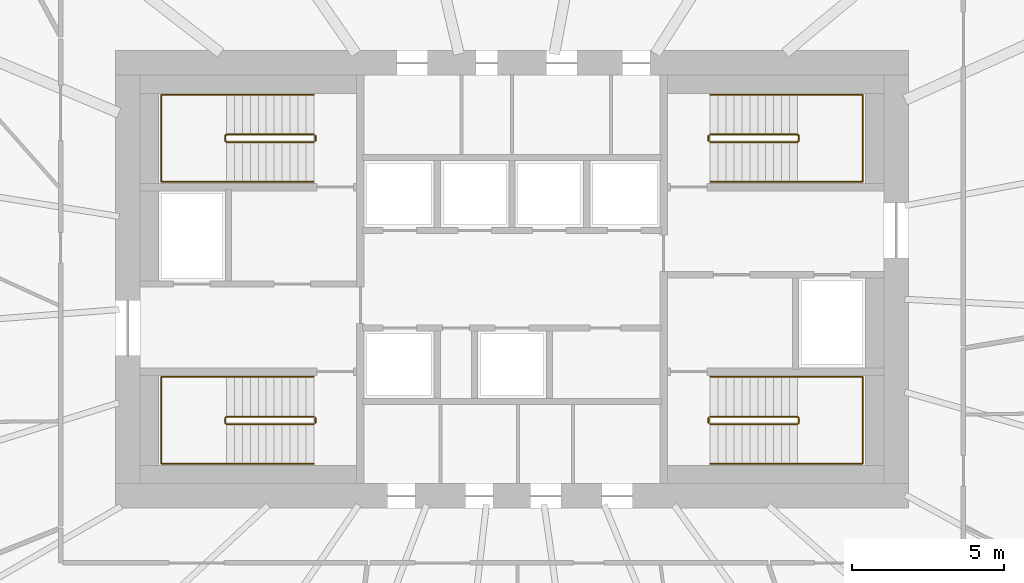
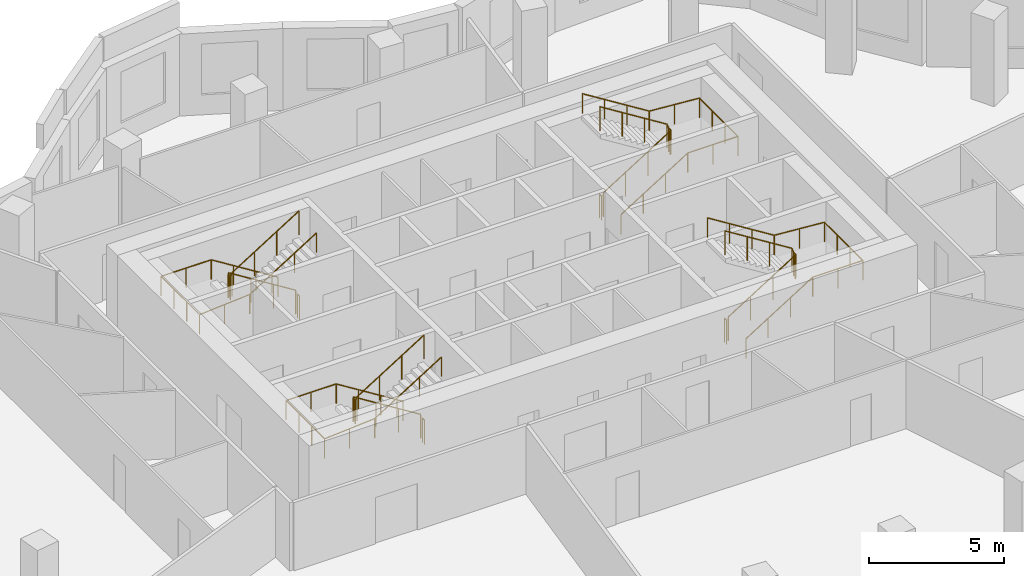
# One storey, part 9 of 9: 12 railings.
"""IFC4 building model written with IfcOpenShell, lengths in metres."""

from ifc_helpers import new_model, si_unit, direction, frame, origin, origin_2d, place, context, subcontext, project, spatial, circle, extrude, material, type_object, element, save


model = new_model("IFC4")

# Units and contexts
model_context = context("Model", 3, precision=1e-05, world=origin(), true_north=direction((0.0, 1.0)))
body_context = subcontext(model_context, "Body", "Model", "MODEL_VIEW")
ifc_project = project(units=[si_unit("LENGTHUNIT", "METRE"), si_unit("AREAUNIT", "SQUARE_METRE"), si_unit("VOLUMEUNIT", "CUBIC_METRE"), si_unit("PLANEANGLEUNIT", "RADIAN"), si_unit("MASSUNIT", "GRAM", prefix="KILO")], contexts=[model_context])

# Site, building, storey
site_placement = place(None, origin())
site = spatial("IfcSite", under=ifc_project, at=site_placement, CompositionType="ELEMENT")
building_placement = place(site_placement, origin())
building = spatial("IfcBuilding", under=site, at=building_placement, Name="Rubra Terraces Tower", CompositionType="ELEMENT")
storey_placement = place(building_placement, frame((0.0, 0.0, 244.800048828125)))
storey = spatial("IfcBuildingStorey", under=building, at=storey_placement, Name="L60", CompositionType="ELEMENT", Elevation=244.800048828125)

# Railings
ifc_material = material(Name="Stainless steel", Category="steel")
railing_type_1 = type_object("IfcRailingType", Name="Core stair guard 1100", PredefinedType="GUARDRAIL", material=ifc_material)
railing_1_placement = place(storey_placement, frame((-6.5, 0.0, 0.162353515625)))
element("IfcRailing", 1, at=railing_1_placement, inside=storey, type_object=railing_type_1, Name="L60 stair S1 guard 1", PredefinedType="GUARDRAIL", context=body_context, shape_type="SweptSolid", body=[
    extrude(circle(Radius=0.02392578125, at=origin_2d()), frame((0.0, 0.0, 1.076171875), z_axis=(-0.847994237388, 0.0, 0.530005446535), x_axis=(0.0, -1.0, 0.0)), (0.0, 0.0, 1.0), 3.372802734375),
    extrude(circle(Radius=0.02392578125, at=origin_2d()), frame((-2.860107421875, 0.0, 2.86376953125), z_axis=(-0.705375805398, -0.708833529934, 0.0), x_axis=(0.708833529934, -0.705375805398, 0.0)), (0.0, 0.0, 1.0), 0.070556640625),
    extrude(circle(Radius=0.02392578125, at=origin_2d()), frame((-2.909912109375, -0.050048828125, 2.86376953125), z_axis=(0.0, -1.0, 0.0), x_axis=(1.0, 0.0, 0.0)), (0.0, 0.0, 1.0), 0.14990234375),
    extrude(circle(Radius=0.02392578125, at=origin_2d()), frame((-2.909912109375, -0.199951171875, 2.86376953125), z_axis=(0.280959487676, -0.282336740067, 0.917250092119), x_axis=(0.708833529934, 0.705375805398, 0.0)), (0.0, 0.0, 1.0), 0.17724609375),
    extrude(circle(Radius=0.02392578125, at=origin_2d()), frame((-2.860107421875, -0.25, 3.0263671875), z_axis=(0.848026770018, 0.0, 0.529953391661), x_axis=(0.0, 1.0, 0.0)), (0.0, 0.0, 1.0), 3.37255859375),
    extrude(circle(Radius=0.02099609375, at=origin_2d()), origin(), (0.0, 0.0, 1.0), 1.052001953125),
    extrude(circle(Radius=0.02099609375, at=origin_2d()), frame((-0.953369140625, 0.0, 0.595947265625)), (0.0, 0.0, 1.0), 1.052001953125),
    extrude(circle(Radius=0.02099609375, at=origin_2d()), frame((-1.90673828125, 0.0, 1.191650390625)), (0.0, 0.0, 1.0), 1.052001953125),
    extrude(circle(Radius=0.02099609375, at=origin_2d()), frame((-2.860107421875, 0.0, 1.78759765625)), (0.0, 0.0, 1.0), 1.052001953125),
    extrude(circle(Radius=0.02099609375, at=origin_2d()), frame((-2.909912109375, -0.050048828125, 1.78759765625)), (0.0, 0.0, 1.0), 1.052001953125),
    extrude(circle(Radius=0.02099609375, at=origin_2d()), frame((-2.909912109375, -0.199951171875, 1.78759765625)), (0.0, 0.0, 1.0), 1.052001953125),
    extrude(circle(Radius=0.02099609375, at=origin_2d()), frame((-2.860107421875, -0.25, 1.9501953125)), (0.0, 0.0, 1.0), 1.052001953125),
    extrude(circle(Radius=0.02099609375, at=origin_2d()), frame((-1.90673828125, -0.25, 2.5458984375)), (0.0, 0.0, 1.0), 1.052001953125),
    extrude(circle(Radius=0.02099609375, at=origin_2d()), frame((-0.953369140625, -0.25, 3.141845703125)), (0.0, 0.0, 1.0), 1.052001953125),
    extrude(circle(Radius=0.02099609375, at=origin_2d()), frame((0.0, -0.25, 3.737548828125)), (0.0, 0.0, 1.0), 1.052001953125),
])
railing_2_placement = place(storey_placement, frame((-6.449951171875, -0.050048828125, 0.0)))
element("IfcRailing", 2, at=railing_2_placement, inside=storey, type_object=railing_type_1, Name="L60 stair S1 guard 2", PredefinedType="GUARDRAIL", context=body_context, shape_type="SweptSolid", body=[
    extrude(circle(Radius=0.02392578125, at=origin_2d()), frame((0.0, 0.0, 1.076171875), z_axis=(0.0, -1.0, 0.0), x_axis=(1.0, 0.0, 0.0)), (0.0, 0.0, 1.0), 0.14990234375),
    extrude(circle(Radius=0.02099609375, at=origin_2d()), origin(), (0.0, 0.0, 1.0), 1.052001953125),
    extrude(circle(Radius=0.02099609375, at=origin_2d()), frame((0.0, -0.14990234375, 0.0)), (0.0, 0.0, 1.0), 1.052001953125),
])
railing_3_placement = place(storey_placement, frame((-6.5, 9.25, 0.162353515625)))
element("IfcRailing", 3, at=railing_3_placement, inside=storey, type_object=railing_type_1, Name="L60 stair S2 guard 1", PredefinedType="GUARDRAIL", context=body_context, shape_type="SweptSolid", body=[
    extrude(circle(Radius=0.02392578125, at=origin_2d()), frame((0.0, 0.0, 1.076171875), z_axis=(-0.847994237388, 0.0, 0.530005446535), x_axis=(0.0, -1.0, 0.0)), (0.0, 0.0, 1.0), 3.372802734375),
    extrude(circle(Radius=0.02392578125, at=origin_2d()), frame((-2.860107421875, 0.0, 2.86376953125), z_axis=(-0.705375805398, -0.708833529934, 0.0), x_axis=(0.708833529934, -0.705375805398, 0.0)), (0.0, 0.0, 1.0), 0.070556640625),
    extrude(circle(Radius=0.02392578125, at=origin_2d()), frame((-2.909912109375, -0.050048828125, 2.86376953125), z_axis=(0.0, -1.0, 0.0), x_axis=(1.0, 0.0, 0.0)), (0.0, 0.0, 1.0), 0.14990234375),
    extrude(circle(Radius=0.02392578125, at=origin_2d()), frame((-2.909912109375, -0.199951171875, 2.86376953125), z_axis=(0.280959487676, -0.282336740067, 0.917250092119), x_axis=(0.708833529934, 0.705375805398, 0.0)), (0.0, 0.0, 1.0), 0.17724609375),
    extrude(circle(Radius=0.02392578125, at=origin_2d()), frame((-2.860107421875, -0.25, 3.0263671875), z_axis=(0.848026770018, 0.0, 0.529953391661), x_axis=(0.0, 1.0, 0.0)), (0.0, 0.0, 1.0), 3.37255859375),
    extrude(circle(Radius=0.02099609375, at=origin_2d()), origin(), (0.0, 0.0, 1.0), 1.052001953125),
    extrude(circle(Radius=0.02099609375, at=origin_2d()), frame((-0.953369140625, 0.0, 0.595947265625)), (0.0, 0.0, 1.0), 1.052001953125),
    extrude(circle(Radius=0.02099609375, at=origin_2d()), frame((-1.90673828125, 0.0, 1.191650390625)), (0.0, 0.0, 1.0), 1.052001953125),
    extrude(circle(Radius=0.02099609375, at=origin_2d()), frame((-2.860107421875, 0.0, 1.78759765625)), (0.0, 0.0, 1.0), 1.052001953125),
    extrude(circle(Radius=0.02099609375, at=origin_2d()), frame((-2.909912109375, -0.050048828125, 1.78759765625)), (0.0, 0.0, 1.0), 1.052001953125),
    extrude(circle(Radius=0.02099609375, at=origin_2d()), frame((-2.909912109375, -0.199951171875, 1.78759765625)), (0.0, 0.0, 1.0), 1.052001953125),
    extrude(circle(Radius=0.02099609375, at=origin_2d()), frame((-2.860107421875, -0.25, 1.9501953125)), (0.0, 0.0, 1.0), 1.052001953125),
    extrude(circle(Radius=0.02099609375, at=origin_2d()), frame((-1.90673828125, -0.25, 2.5458984375)), (0.0, 0.0, 1.0), 1.052001953125),
    extrude(circle(Radius=0.02099609375, at=origin_2d()), frame((-0.953369140625, -0.25, 3.141845703125)), (0.0, 0.0, 1.0), 1.052001953125),
    extrude(circle(Radius=0.02099609375, at=origin_2d()), frame((0.0, -0.25, 3.737548828125)), (0.0, 0.0, 1.0), 1.052001953125),
])
railing_4_placement = place(storey_placement, frame((-6.449951171875, 9.199951171875, 0.0)))
element("IfcRailing", 4, at=railing_4_placement, inside=storey, type_object=railing_type_1, Name="L60 stair S2 guard 2", PredefinedType="GUARDRAIL", context=body_context, shape_type="SweptSolid", body=[
    extrude(circle(Radius=0.02392578125, at=origin_2d()), frame((0.0, 0.0, 1.076171875), z_axis=(0.0, -1.0, 0.0), x_axis=(1.0, 0.0, 0.0)), (0.0, 0.0, 1.0), 0.14990234375),
    extrude(circle(Radius=0.02099609375, at=origin_2d()), origin(), (0.0, 0.0, 1.0), 1.052001953125),
    extrude(circle(Radius=0.02099609375, at=origin_2d()), frame((0.0, -0.14990234375, 0.0)), (0.0, 0.0, 1.0), 1.052001953125),
])
railing_5_placement = place(storey_placement, frame((6.5, 9.0, 0.162353515625)))
element("IfcRailing", 5, at=railing_5_placement, inside=storey, type_object=railing_type_1, Name="L60 stair S3 guard 1", PredefinedType="GUARDRAIL", context=body_context, shape_type="SweptSolid", body=[
    extrude(circle(Radius=0.02392578125, at=origin_2d()), frame((0.0, 0.0, 1.076171875), z_axis=(0.847994237388, 0.0, 0.530005446535), x_axis=(0.0, 1.0, 0.0)), (0.0, 0.0, 1.0), 3.372802734375),
    extrude(circle(Radius=0.02392578125, at=origin_2d()), frame((2.860107421875, 0.0, 2.86376953125), z_axis=(0.705375805398, 0.708833529934, 0.0), x_axis=(-0.708833529934, 0.705375805398, 0.0)), (0.0, 0.0, 1.0), 0.070556640625),
    extrude(circle(Radius=0.02392578125, at=origin_2d()), frame((2.909912109375, 0.050048828125, 2.86376953125), z_axis=(0.0, 1.0, 0.0), x_axis=(-1.0, 0.0, 0.0)), (0.0, 0.0, 1.0), 0.14990234375),
    extrude(circle(Radius=0.02392578125, at=origin_2d()), frame((2.909912109375, 0.199951171875, 2.86376953125), z_axis=(-0.280959487676, 0.282336740067, 0.917250092119), x_axis=(-0.708833529934, -0.705375805398, 0.0)), (0.0, 0.0, 1.0), 0.17724609375),
    extrude(circle(Radius=0.02392578125, at=origin_2d()), frame((2.860107421875, 0.25, 3.0263671875), z_axis=(-0.848026770018, 0.0, 0.529953391661), x_axis=(0.0, -1.0, 0.0)), (0.0, 0.0, 1.0), 3.37255859375),
    extrude(circle(Radius=0.02099609375, at=origin_2d()), origin(), (0.0, 0.0, 1.0), 1.052001953125),
    extrude(circle(Radius=0.02099609375, at=origin_2d()), frame((0.953369140625, 0.0, 0.595947265625)), (0.0, 0.0, 1.0), 1.052001953125),
    extrude(circle(Radius=0.02099609375, at=origin_2d()), frame((1.90673828125, 0.0, 1.191650390625)), (0.0, 0.0, 1.0), 1.052001953125),
    extrude(circle(Radius=0.02099609375, at=origin_2d()), frame((2.860107421875, 0.0, 1.78759765625)), (0.0, 0.0, 1.0), 1.052001953125),
    extrude(circle(Radius=0.02099609375, at=origin_2d()), frame((2.909912109375, 0.050048828125, 1.78759765625)), (0.0, 0.0, 1.0), 1.052001953125),
    extrude(circle(Radius=0.02099609375, at=origin_2d()), frame((2.909912109375, 0.199951171875, 1.78759765625)), (0.0, 0.0, 1.0), 1.052001953125),
    extrude(circle(Radius=0.02099609375, at=origin_2d()), frame((2.860107421875, 0.25, 1.9501953125)), (0.0, 0.0, 1.0), 1.052001953125),
    extrude(circle(Radius=0.02099609375, at=origin_2d()), frame((1.90673828125, 0.25, 2.5458984375)), (0.0, 0.0, 1.0), 1.052001953125),
    extrude(circle(Radius=0.02099609375, at=origin_2d()), frame((0.953369140625, 0.25, 3.141845703125)), (0.0, 0.0, 1.0), 1.052001953125),
    extrude(circle(Radius=0.02099609375, at=origin_2d()), frame((0.0, 0.25, 3.737548828125)), (0.0, 0.0, 1.0), 1.052001953125),
])
railing_6_placement = place(storey_placement, frame((6.449951171875, 9.050048828125, 0.0)))
element("IfcRailing", 6, at=railing_6_placement, inside=storey, type_object=railing_type_1, Name="L60 stair S3 guard 2", PredefinedType="GUARDRAIL", context=body_context, shape_type="SweptSolid", body=[
    extrude(circle(Radius=0.02392578125, at=origin_2d()), frame((0.0, 0.0, 1.076171875), z_axis=(0.0, 1.0, 0.0), x_axis=(-1.0, 0.0, 0.0)), (0.0, 0.0, 1.0), 0.14990234375),
    extrude(circle(Radius=0.02099609375, at=origin_2d()), origin(), (0.0, 0.0, 1.0), 1.052001953125),
    extrude(circle(Radius=0.02099609375, at=origin_2d()), frame((0.0, 0.14990234375, 0.0)), (0.0, 0.0, 1.0), 1.052001953125),
])
railing_7_placement = place(storey_placement, frame((6.5, -0.25, 0.162353515625)))
element("IfcRailing", 7, at=railing_7_placement, inside=storey, type_object=railing_type_1, Name="L60 stair S4 guard 1", PredefinedType="GUARDRAIL", context=body_context, shape_type="SweptSolid", body=[
    extrude(circle(Radius=0.02392578125, at=origin_2d()), frame((0.0, 0.0, 1.076171875), z_axis=(0.847994237388, 0.0, 0.530005446535), x_axis=(0.0, 1.0, 0.0)), (0.0, 0.0, 1.0), 3.372802734375),
    extrude(circle(Radius=0.02392578125, at=origin_2d()), frame((2.860107421875, 0.0, 2.86376953125), z_axis=(0.705375805398, 0.708833529934, 0.0), x_axis=(-0.708833529934, 0.705375805398, 0.0)), (0.0, 0.0, 1.0), 0.070556640625),
    extrude(circle(Radius=0.02392578125, at=origin_2d()), frame((2.909912109375, 0.050048828125, 2.86376953125), z_axis=(0.0, 1.0, 0.0), x_axis=(-1.0, 0.0, 0.0)), (0.0, 0.0, 1.0), 0.14990234375),
    extrude(circle(Radius=0.02392578125, at=origin_2d()), frame((2.909912109375, 0.199951171875, 2.86376953125), z_axis=(-0.280959487676, 0.282336740067, 0.917250092119), x_axis=(-0.708833529934, -0.705375805398, 0.0)), (0.0, 0.0, 1.0), 0.17724609375),
    extrude(circle(Radius=0.02392578125, at=origin_2d()), frame((2.860107421875, 0.25, 3.0263671875), z_axis=(-0.848026770018, 0.0, 0.529953391661), x_axis=(0.0, -1.0, 0.0)), (0.0, 0.0, 1.0), 3.37255859375),
    extrude(circle(Radius=0.02099609375, at=origin_2d()), origin(), (0.0, 0.0, 1.0), 1.052001953125),
    extrude(circle(Radius=0.02099609375, at=origin_2d()), frame((0.953369140625, 0.0, 0.595947265625)), (0.0, 0.0, 1.0), 1.052001953125),
    extrude(circle(Radius=0.02099609375, at=origin_2d()), frame((1.90673828125, 0.0, 1.191650390625)), (0.0, 0.0, 1.0), 1.052001953125),
    extrude(circle(Radius=0.02099609375, at=origin_2d()), frame((2.860107421875, 0.0, 1.78759765625)), (0.0, 0.0, 1.0), 1.052001953125),
    extrude(circle(Radius=0.02099609375, at=origin_2d()), frame((2.909912109375, 0.050048828125, 1.78759765625)), (0.0, 0.0, 1.0), 1.052001953125),
    extrude(circle(Radius=0.02099609375, at=origin_2d()), frame((2.909912109375, 0.199951171875, 1.78759765625)), (0.0, 0.0, 1.0), 1.052001953125),
    extrude(circle(Radius=0.02099609375, at=origin_2d()), frame((2.860107421875, 0.25, 1.9501953125)), (0.0, 0.0, 1.0), 1.052001953125),
    extrude(circle(Radius=0.02099609375, at=origin_2d()), frame((1.90673828125, 0.25, 2.5458984375)), (0.0, 0.0, 1.0), 1.052001953125),
    extrude(circle(Radius=0.02099609375, at=origin_2d()), frame((0.953369140625, 0.25, 3.141845703125)), (0.0, 0.0, 1.0), 1.052001953125),
    extrude(circle(Radius=0.02099609375, at=origin_2d()), frame((0.0, 0.25, 3.737548828125)), (0.0, 0.0, 1.0), 1.052001953125),
])
railing_8_placement = place(storey_placement, frame((6.449951171875, -0.199951171875, 0.0)))
element("IfcRailing", 8, at=railing_8_placement, inside=storey, type_object=railing_type_1, Name="L60 stair S4 guard 2", PredefinedType="GUARDRAIL", context=body_context, shape_type="SweptSolid", body=[
    extrude(circle(Radius=0.02392578125, at=origin_2d()), frame((0.0, 0.0, 1.076171875), z_axis=(0.0, 1.0, 0.0), x_axis=(-1.0, 0.0, 0.0)), (0.0, 0.0, 1.0), 0.14990234375),
    extrude(circle(Radius=0.02099609375, at=origin_2d()), origin(), (0.0, 0.0, 1.0), 1.052001953125),
    extrude(circle(Radius=0.02099609375, at=origin_2d()), frame((0.0, 0.14990234375, 0.0)), (0.0, 0.0, 1.0), 1.052001953125),
])
railing_type_2 = type_object("IfcRailingType", Name="Core stair handrail 900", PredefinedType="HANDRAIL", material=ifc_material)
railing_9_placement = place(storey_placement, frame((-6.5, 1.300048828125, 0.162353515625)))
element("IfcRailing", 9, at=railing_9_placement, inside=storey, type_object=railing_type_2, Name="L60 stair S1 handrail 1", PredefinedType="HANDRAIL", context=body_context, shape_type="SweptSolid", body=[
    extrude(circle(Radius=0.02392578125, at=origin_2d()), frame((0.0, 0.0, 0.8759765625), z_axis=(-0.847994237388, 0.0, 0.530005446535), x_axis=(0.0, -1.0, 0.0)), (0.0, 0.0, 1.0), 3.372802734375),
    extrude(circle(Radius=0.02392578125, at=origin_2d()), frame((-2.860107421875, 0.0, 2.66357421875), z_axis=(-1.0, 0.0, 0.0), x_axis=(0.0, -1.0, 0.0)), (0.0, 0.0, 1.0), 2.139892578125),
    extrude(circle(Radius=0.02392578125, at=origin_2d()), frame((-5.0, 0.0, 2.66357421875), z_axis=(0.0, -1.0, 0.0), x_axis=(1.0, 0.0, 0.0)), (0.0, 0.0, 1.0), 2.85009765625),
    extrude(circle(Radius=0.02392578125, at=origin_2d()), frame((-5.0, -2.85009765625, 2.66357421875), z_axis=(0.997125654253, 0.0, 0.075765623016), x_axis=(0.0, 1.0, 0.0)), (0.0, 0.0, 1.0), 2.14599609375),
    extrude(circle(Radius=0.02392578125, at=origin_2d()), frame((-2.860107421875, -2.85009765625, 2.826171875), z_axis=(0.848026770018, 0.0, 0.529953391661), x_axis=(0.0, 1.0, 0.0)), (0.0, 0.0, 1.0), 3.37255859375),
    extrude(circle(Radius=0.02099609375, at=origin_2d()), origin(), (0.0, 0.0, 1.0), 0.851806640625),
    extrude(circle(Radius=0.02099609375, at=origin_2d()), frame((-0.953369140625, 0.0, 0.595947265625)), (0.0, 0.0, 1.0), 0.851806640625),
    extrude(circle(Radius=0.02099609375, at=origin_2d()), frame((-1.90673828125, 0.0, 1.191650390625)), (0.0, 0.0, 1.0), 0.851806640625),
    extrude(circle(Radius=0.02099609375, at=origin_2d()), frame((-2.860107421875, 0.0, 1.78759765625)), (0.0, 0.0, 1.0), 0.851806640625),
    extrude(circle(Radius=0.02099609375, at=origin_2d()), frame((-3.93017578125, 0.0, 1.78759765625)), (0.0, 0.0, 1.0), 0.851806640625),
    extrude(circle(Radius=0.02099609375, at=origin_2d()), frame((-5.0, 0.0, 1.78759765625)), (0.0, 0.0, 1.0), 0.851806640625),
    extrude(circle(Radius=0.02099609375, at=origin_2d()), frame((-5.0, -0.949951171875, 1.78759765625)), (0.0, 0.0, 1.0), 0.851806640625),
    extrude(circle(Radius=0.02099609375, at=origin_2d()), frame((-5.0, -1.900146484375, 1.78759765625)), (0.0, 0.0, 1.0), 0.851806640625),
    extrude(circle(Radius=0.02099609375, at=origin_2d()), frame((-5.0, -2.85009765625, 1.78759765625)), (0.0, 0.0, 1.0), 0.851806640625),
    extrude(circle(Radius=0.02099609375, at=origin_2d()), frame((-3.93017578125, -2.85009765625, 1.868896484375)), (0.0, 0.0, 1.0), 0.851806640625),
    extrude(circle(Radius=0.02099609375, at=origin_2d()), frame((-2.860107421875, -2.85009765625, 1.9501953125)), (0.0, 0.0, 1.0), 0.851806640625),
    extrude(circle(Radius=0.02099609375, at=origin_2d()), frame((-1.90673828125, -2.85009765625, 2.5458984375)), (0.0, 0.0, 1.0), 0.851806640625),
    extrude(circle(Radius=0.02099609375, at=origin_2d()), frame((-0.953369140625, -2.85009765625, 3.141845703125)), (0.0, 0.0, 1.0), 0.851806640625),
    extrude(circle(Radius=0.02099609375, at=origin_2d()), frame((0.0, -2.85009765625, 3.737548828125)), (0.0, 0.0, 1.0), 0.851806640625),
])
railing_10_placement = place(storey_placement, frame((-6.5, 10.550048828125, 0.162353515625)))
element("IfcRailing", 10, at=railing_10_placement, inside=storey, type_object=railing_type_2, Name="L60 stair S2 handrail 1", PredefinedType="HANDRAIL", context=body_context, shape_type="SweptSolid", body=[
    extrude(circle(Radius=0.02392578125, at=origin_2d()), frame((0.0, 0.0, 0.8759765625), z_axis=(-0.847994237388, 0.0, 0.530005446535), x_axis=(0.0, -1.0, 0.0)), (0.0, 0.0, 1.0), 3.372802734375),
    extrude(circle(Radius=0.02392578125, at=origin_2d()), frame((-2.860107421875, 0.0, 2.66357421875), z_axis=(-1.0, 0.0, 0.0), x_axis=(0.0, -1.0, 0.0)), (0.0, 0.0, 1.0), 2.139892578125),
    extrude(circle(Radius=0.02392578125, at=origin_2d()), frame((-5.0, 0.0, 2.66357421875), z_axis=(0.0, -1.0, 0.0), x_axis=(1.0, 0.0, 0.0)), (0.0, 0.0, 1.0), 2.85009765625),
    extrude(circle(Radius=0.02392578125, at=origin_2d()), frame((-5.0, -2.85009765625, 2.66357421875), z_axis=(0.997125654253, 0.0, 0.075765623016), x_axis=(0.0, 1.0, 0.0)), (0.0, 0.0, 1.0), 2.14599609375),
    extrude(circle(Radius=0.02392578125, at=origin_2d()), frame((-2.860107421875, -2.85009765625, 2.826171875), z_axis=(0.848026770018, 0.0, 0.529953391661), x_axis=(0.0, 1.0, 0.0)), (0.0, 0.0, 1.0), 3.37255859375),
    extrude(circle(Radius=0.02099609375, at=origin_2d()), origin(), (0.0, 0.0, 1.0), 0.851806640625),
    extrude(circle(Radius=0.02099609375, at=origin_2d()), frame((-0.953369140625, 0.0, 0.595947265625)), (0.0, 0.0, 1.0), 0.851806640625),
    extrude(circle(Radius=0.02099609375, at=origin_2d()), frame((-1.90673828125, 0.0, 1.191650390625)), (0.0, 0.0, 1.0), 0.851806640625),
    extrude(circle(Radius=0.02099609375, at=origin_2d()), frame((-2.860107421875, 0.0, 1.78759765625)), (0.0, 0.0, 1.0), 0.851806640625),
    extrude(circle(Radius=0.02099609375, at=origin_2d()), frame((-3.93017578125, 0.0, 1.78759765625)), (0.0, 0.0, 1.0), 0.851806640625),
    extrude(circle(Radius=0.02099609375, at=origin_2d()), frame((-5.0, 0.0, 1.78759765625)), (0.0, 0.0, 1.0), 0.851806640625),
    extrude(circle(Radius=0.02099609375, at=origin_2d()), frame((-5.0, -0.949951171875, 1.78759765625)), (0.0, 0.0, 1.0), 0.851806640625),
    extrude(circle(Radius=0.02099609375, at=origin_2d()), frame((-5.0, -1.900146484375, 1.78759765625)), (0.0, 0.0, 1.0), 0.851806640625),
    extrude(circle(Radius=0.02099609375, at=origin_2d()), frame((-5.0, -2.85009765625, 1.78759765625)), (0.0, 0.0, 1.0), 0.851806640625),
    extrude(circle(Radius=0.02099609375, at=origin_2d()), frame((-3.93017578125, -2.85009765625, 1.868896484375)), (0.0, 0.0, 1.0), 0.851806640625),
    extrude(circle(Radius=0.02099609375, at=origin_2d()), frame((-2.860107421875, -2.85009765625, 1.9501953125)), (0.0, 0.0, 1.0), 0.851806640625),
    extrude(circle(Radius=0.02099609375, at=origin_2d()), frame((-1.90673828125, -2.85009765625, 2.5458984375)), (0.0, 0.0, 1.0), 0.851806640625),
    extrude(circle(Radius=0.02099609375, at=origin_2d()), frame((-0.953369140625, -2.85009765625, 3.141845703125)), (0.0, 0.0, 1.0), 0.851806640625),
    extrude(circle(Radius=0.02099609375, at=origin_2d()), frame((0.0, -2.85009765625, 3.737548828125)), (0.0, 0.0, 1.0), 0.851806640625),
])
railing_11_placement = place(storey_placement, frame((6.5, 7.699951171875, 0.162353515625)))
element("IfcRailing", 11, at=railing_11_placement, inside=storey, type_object=railing_type_2, Name="L60 stair S3 handrail 1", PredefinedType="HANDRAIL", context=body_context, shape_type="SweptSolid", body=[
    extrude(circle(Radius=0.02392578125, at=origin_2d()), frame((0.0, 0.0, 0.8759765625), z_axis=(0.847994237388, 0.0, 0.530005446535), x_axis=(0.0, 1.0, 0.0)), (0.0, 0.0, 1.0), 3.372802734375),
    extrude(circle(Radius=0.02392578125, at=origin_2d()), frame((2.860107421875, 0.0, 2.66357421875), z_axis=(1.0, 0.0, 0.0), x_axis=(0.0, 1.0, 0.0)), (0.0, 0.0, 1.0), 2.139892578125),
    extrude(circle(Radius=0.02392578125, at=origin_2d()), frame((5.0, 0.0, 2.66357421875), z_axis=(0.0, 1.0, 0.0), x_axis=(-1.0, 0.0, 0.0)), (0.0, 0.0, 1.0), 2.85009765625),
    extrude(circle(Radius=0.02392578125, at=origin_2d()), frame((5.0, 2.85009765625, 2.66357421875), z_axis=(-0.997125654253, 0.0, 0.075765623016), x_axis=(0.0, -1.0, 0.0)), (0.0, 0.0, 1.0), 2.14599609375),
    extrude(circle(Radius=0.02392578125, at=origin_2d()), frame((2.860107421875, 2.85009765625, 2.826171875), z_axis=(-0.848026770018, 0.0, 0.529953391661), x_axis=(0.0, -1.0, 0.0)), (0.0, 0.0, 1.0), 3.37255859375),
    extrude(circle(Radius=0.02099609375, at=origin_2d()), origin(), (0.0, 0.0, 1.0), 0.851806640625),
    extrude(circle(Radius=0.02099609375, at=origin_2d()), frame((0.953369140625, 0.0, 0.595947265625)), (0.0, 0.0, 1.0), 0.851806640625),
    extrude(circle(Radius=0.02099609375, at=origin_2d()), frame((1.90673828125, 0.0, 1.191650390625)), (0.0, 0.0, 1.0), 0.851806640625),
    extrude(circle(Radius=0.02099609375, at=origin_2d()), frame((2.860107421875, 0.0, 1.78759765625)), (0.0, 0.0, 1.0), 0.851806640625),
    extrude(circle(Radius=0.02099609375, at=origin_2d()), frame((3.93017578125, 0.0, 1.78759765625)), (0.0, 0.0, 1.0), 0.851806640625),
    extrude(circle(Radius=0.02099609375, at=origin_2d()), frame((5.0, 0.0, 1.78759765625)), (0.0, 0.0, 1.0), 0.851806640625),
    extrude(circle(Radius=0.02099609375, at=origin_2d()), frame((5.0, 0.949951171875, 1.78759765625)), (0.0, 0.0, 1.0), 0.851806640625),
    extrude(circle(Radius=0.02099609375, at=origin_2d()), frame((5.0, 1.900146484375, 1.78759765625)), (0.0, 0.0, 1.0), 0.851806640625),
    extrude(circle(Radius=0.02099609375, at=origin_2d()), frame((5.0, 2.85009765625, 1.78759765625)), (0.0, 0.0, 1.0), 0.851806640625),
    extrude(circle(Radius=0.02099609375, at=origin_2d()), frame((3.93017578125, 2.85009765625, 1.868896484375)), (0.0, 0.0, 1.0), 0.851806640625),
    extrude(circle(Radius=0.02099609375, at=origin_2d()), frame((2.860107421875, 2.85009765625, 1.9501953125)), (0.0, 0.0, 1.0), 0.851806640625),
    extrude(circle(Radius=0.02099609375, at=origin_2d()), frame((1.90673828125, 2.85009765625, 2.5458984375)), (0.0, 0.0, 1.0), 0.851806640625),
    extrude(circle(Radius=0.02099609375, at=origin_2d()), frame((0.953369140625, 2.85009765625, 3.141845703125)), (0.0, 0.0, 1.0), 0.851806640625),
    extrude(circle(Radius=0.02099609375, at=origin_2d()), frame((0.0, 2.85009765625, 3.737548828125)), (0.0, 0.0, 1.0), 0.851806640625),
])
railing_12_placement = place(storey_placement, frame((6.5, -1.550048828125, 0.162353515625)))
element("IfcRailing", 12, at=railing_12_placement, inside=storey, type_object=railing_type_2, Name="L60 stair S4 handrail 1", PredefinedType="HANDRAIL", context=body_context, shape_type="SweptSolid", body=[
    extrude(circle(Radius=0.02392578125, at=origin_2d()), frame((0.0, 0.0, 0.8759765625), z_axis=(0.847994237388, 0.0, 0.530005446535), x_axis=(0.0, 1.0, 0.0)), (0.0, 0.0, 1.0), 3.372802734375),
    extrude(circle(Radius=0.02392578125, at=origin_2d()), frame((2.860107421875, 0.0, 2.66357421875), z_axis=(1.0, 0.0, 0.0), x_axis=(0.0, 1.0, 0.0)), (0.0, 0.0, 1.0), 2.139892578125),
    extrude(circle(Radius=0.02392578125, at=origin_2d()), frame((5.0, 0.0, 2.66357421875), z_axis=(0.0, 1.0, 0.0), x_axis=(-1.0, 0.0, 0.0)), (0.0, 0.0, 1.0), 2.85009765625),
    extrude(circle(Radius=0.02392578125, at=origin_2d()), frame((5.0, 2.85009765625, 2.66357421875), z_axis=(-0.997125654253, 0.0, 0.075765623016), x_axis=(0.0, -1.0, 0.0)), (0.0, 0.0, 1.0), 2.14599609375),
    extrude(circle(Radius=0.02392578125, at=origin_2d()), frame((2.860107421875, 2.85009765625, 2.826171875), z_axis=(-0.848026770018, 0.0, 0.529953391661), x_axis=(0.0, -1.0, 0.0)), (0.0, 0.0, 1.0), 3.37255859375),
    extrude(circle(Radius=0.02099609375, at=origin_2d()), origin(), (0.0, 0.0, 1.0), 0.851806640625),
    extrude(circle(Radius=0.02099609375, at=origin_2d()), frame((0.953369140625, 0.0, 0.595947265625)), (0.0, 0.0, 1.0), 0.851806640625),
    extrude(circle(Radius=0.02099609375, at=origin_2d()), frame((1.90673828125, 0.0, 1.191650390625)), (0.0, 0.0, 1.0), 0.851806640625),
    extrude(circle(Radius=0.02099609375, at=origin_2d()), frame((2.860107421875, 0.0, 1.78759765625)), (0.0, 0.0, 1.0), 0.851806640625),
    extrude(circle(Radius=0.02099609375, at=origin_2d()), frame((3.93017578125, 0.0, 1.78759765625)), (0.0, 0.0, 1.0), 0.851806640625),
    extrude(circle(Radius=0.02099609375, at=origin_2d()), frame((5.0, 0.0, 1.78759765625)), (0.0, 0.0, 1.0), 0.851806640625),
    extrude(circle(Radius=0.02099609375, at=origin_2d()), frame((5.0, 0.949951171875, 1.78759765625)), (0.0, 0.0, 1.0), 0.851806640625),
    extrude(circle(Radius=0.02099609375, at=origin_2d()), frame((5.0, 1.900146484375, 1.78759765625)), (0.0, 0.0, 1.0), 0.851806640625),
    extrude(circle(Radius=0.02099609375, at=origin_2d()), frame((5.0, 2.85009765625, 1.78759765625)), (0.0, 0.0, 1.0), 0.851806640625),
    extrude(circle(Radius=0.02099609375, at=origin_2d()), frame((3.93017578125, 2.85009765625, 1.868896484375)), (0.0, 0.0, 1.0), 0.851806640625),
    extrude(circle(Radius=0.02099609375, at=origin_2d()), frame((2.860107421875, 2.85009765625, 1.9501953125)), (0.0, 0.0, 1.0), 0.851806640625),
    extrude(circle(Radius=0.02099609375, at=origin_2d()), frame((1.90673828125, 2.85009765625, 2.5458984375)), (0.0, 0.0, 1.0), 0.851806640625),
    extrude(circle(Radius=0.02099609375, at=origin_2d()), frame((0.953369140625, 2.85009765625, 3.141845703125)), (0.0, 0.0, 1.0), 0.851806640625),
    extrude(circle(Radius=0.02099609375, at=origin_2d()), frame((0.0, 2.85009765625, 3.737548828125)), (0.0, 0.0, 1.0), 0.851806640625),
])

save(model, "model.ifc")
